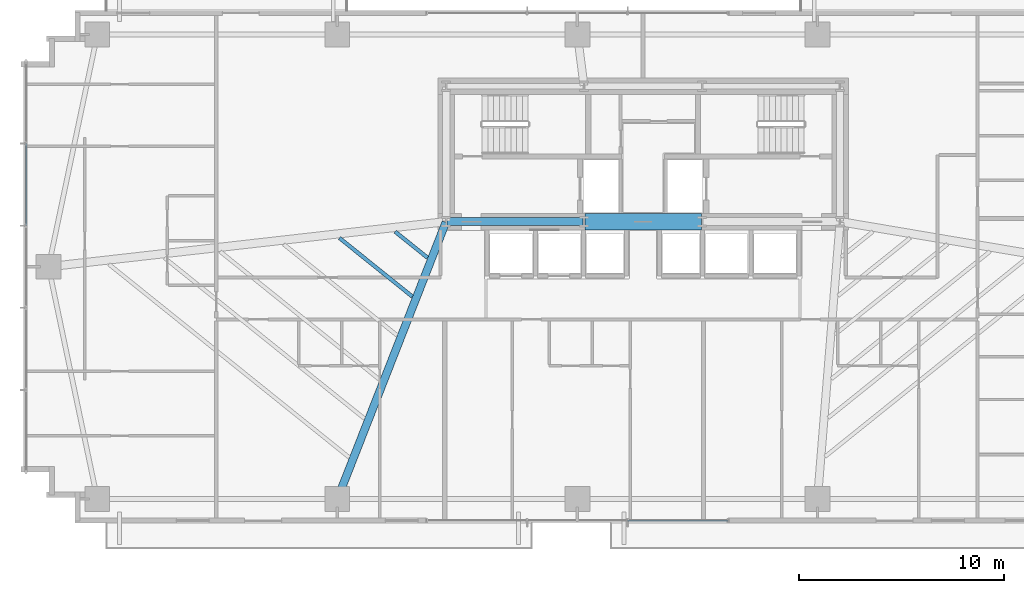
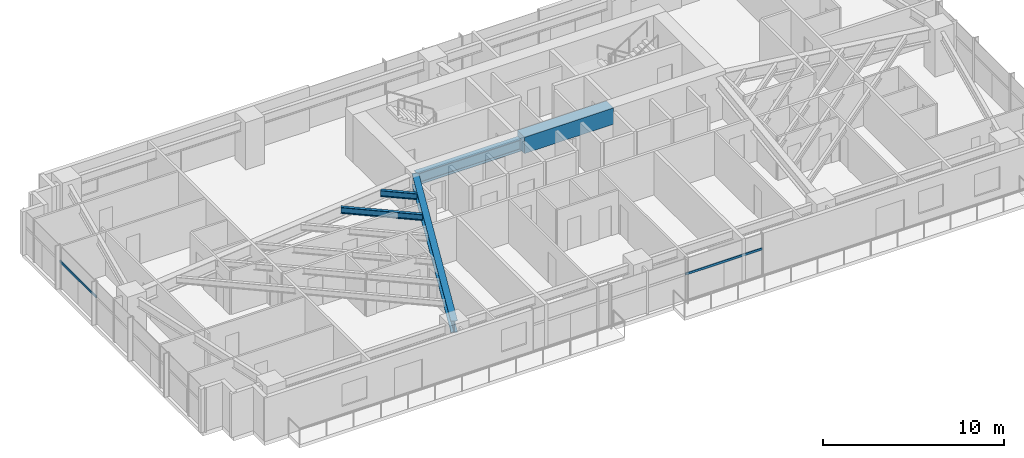
# One storey, part 7 of 25: 5 beams, 2 members, 2 elements without a shape of their own.
"""IFC4 building model written with IfcOpenShell, lengths in metres."""

from ifc_helpers import new_model, si_unit, direction, frame, origin, origin_2d, place, context, subcontext, project, spatial, rectangle, hollow_rectangle, i_section, extrude, source, transform, mapped, material, material_profile, profile_set, type_object, type_shapes, element, aggregate, save


model = new_model("IFC4")

# Units and contexts
model_context = context("Model", 3, precision=1e-05, world=origin(), true_north=direction((0.0, 1.0)))
body_context = subcontext(model_context, "Body", "Model", "MODEL_VIEW")
ifc_project = project(units=[si_unit("LENGTHUNIT", "METRE"), si_unit("AREAUNIT", "SQUARE_METRE"), si_unit("VOLUMEUNIT", "CUBIC_METRE"), si_unit("PLANEANGLEUNIT", "RADIAN"), si_unit("MASSUNIT", "GRAM", prefix="KILO")], contexts=[model_context])

# Site, building, storey
site_placement = place(None, origin())
site = spatial("IfcSite", under=ifc_project, at=site_placement, CompositionType="ELEMENT")
building_placement = place(site_placement, origin())
building = spatial("IfcBuilding", under=site, at=building_placement, Name="Astriad Promenade Condominiums", CompositionType="ELEMENT")
storey_placement = place(building_placement, frame((0.0, 0.0, 48.60009765625)))
storey = spatial("IfcBuildingStorey", under=building, at=storey_placement, Name="L13", CompositionType="ELEMENT", Elevation=48.60009765625)

# Beams
ifc_material_1 = material(Name="Steel ASTM A992 Grade 50", Category="steel")
ifc_material_profile_1 = material_profile(ifc_material_1, i_section(OverallWidth=0.3837890625, OverallDepth=0.785888671875, WebThickness=0.019775390625, FlangeThickness=0.033447265625, FilletRadius=0.021484375, at=origin_2d()), Name="W30X211")
ifc_profile_set_1 = profile_set([ifc_material_profile_1], Name="Steel ASTM A992 Grade 50")
beam_type_1 = type_object("IfcBeamType", Name="STEEL FLOOR GIRDER W30X211", PredefinedType="BEAM", material=ifc_profile_set_1)
shared_shape_1 = source(origin(), body_context, "Body", "SweptSolid", [
    extrude(i_section(OverallWidth=0.3837890625, OverallDepth=0.785888671875, WebThickness=0.019775390625, FlangeThickness=0.033447265625, FilletRadius=0.021484375, at=origin_2d()), origin(), (0.0, 0.0, 1.0), 6.64013671875),
])
beam_1_placement = place(storey_placement, frame((26.43994140625, 17.39990234375, 2.547119140625), z_axis=(1.0, 0.0, 0.0), x_axis=(0.0, 1.0, 0.0)))
element("IfcBeam", 1, at=beam_1_placement, inside=storey, type_object=beam_type_1, Name="Core Ring Beam CG-S1-L13", PredefinedType="BEAM", context=body_context, shape_type="MappedRepresentation", body=[
    mapped(shared_shape_1, transform((0.0, 0.0, 0.0), scale=1.0)),
])
ifc_material_2 = material(Name="Concrete C80/95", Category="concrete")
ifc_material_profile_2 = material_profile(ifc_material_2, rectangle(XDim=0.800048828125, YDim=1.10009765625, at=origin_2d()), Name="RC-BM-800X1100")
ifc_profile_set_2 = profile_set([ifc_material_profile_2], Name="Concrete C80/95")
beam_type_2 = type_object("IfcBeamType", Name="CONCRETE CORE COUPLING LINTEL 800X1100", PredefinedType="LINTEL", material=ifc_profile_set_2)
shared_shape_2 = source(origin(), body_context, "Body", "SweptSolid", [
    extrude(rectangle(XDim=0.800048828125, YDim=1.10009765625, at=origin_2d()), origin(), (0.0, 0.0, 1.0), 5.68017578125),
])
type_shapes(beam_type_2, [shared_shape_2])
beam_2_placement = place(storey_placement, frame((33.159912109375, 17.39990234375, 2.6298828125), z_axis=(1.0, 0.0, 0.0), x_axis=(0.0, 1.0, 0.0)))
element("IfcBeam", 2, at=beam_2_placement, inside=storey, type_object=beam_type_2, Name="Core Ring Beam CG-S2-L13", PredefinedType="LINTEL", context=body_context, shape_type="MappedRepresentation", body=[
    mapped(shared_shape_2, transform((0.0, 0.0, 0.0), scale=1.0)),
])
shared_shape_3 = source(origin(), body_context, "Body", "SweptSolid", [
    extrude(i_section(OverallWidth=0.3837890625, OverallDepth=0.785888671875, WebThickness=0.019775390625, FlangeThickness=0.033447265625, FilletRadius=0.021484375, at=origin_2d()), origin(), (0.0, 0.0, 1.0), 14.44189453125),
])
type_shapes(beam_type_1, [shared_shape_1, shared_shape_3])
beam_3_placement = place(storey_placement, frame((21.114501953125, 3.917236328125, 2.547119140625), z_axis=(0.364981228757, 0.931014877784, 0.0), x_axis=(-0.931014877784, 0.364981228757, 0.0)))
element("IfcBeam", 3, at=beam_3_placement, inside=storey, type_object=beam_type_1, Name="Primary Floor Girder PG-W2-L13", PredefinedType="BEAM", context=body_context, shape_type="MappedRepresentation", body=[
    mapped(shared_shape_3, transform((0.0, 0.0, 0.0), scale=1.0)),
])
ifc_material_profile_3 = material_profile(ifc_material_1, i_section(OverallWidth=0.180908203125, OverallDepth=0.417236328125, WebThickness=0.010986328125, FlangeThickness=0.018310546875, FilletRadius=0.013916015625, at=origin_2d()), Name="W16X57")
ifc_profile_set_3 = profile_set([ifc_material_profile_3], Name="Steel ASTM A992 Grade 50")
beam_type_3 = type_object("IfcBeamType", Name="STEEL FLOOR JOIST W16X57", PredefinedType="JOIST", material=ifc_profile_set_3)
shared_shape_4 = source(origin(), body_context, "Body", "SweptSolid", [
    extrude(i_section(OverallWidth=0.180908203125, OverallDepth=0.417236328125, WebThickness=0.010986328125, FlangeThickness=0.018310546875, FilletRadius=0.013916015625, at=origin_2d()), origin(), (0.0, 0.0, 1.0), 4.555419921875),
])
beam_4_placement = place(storey_placement, frame((21.201416015625, 16.600830078125, 2.731201171875), z_axis=(0.779365920634, -0.626569039894, 0.0), x_axis=(0.626569039894, 0.779365920634, 0.0)))
element("IfcBeam", 4, at=beam_4_placement, inside=storey, type_object=beam_type_3, Name="Secondary Composite Floor Joist JW1-5-L13", PredefinedType="JOIST", context=body_context, shape_type="MappedRepresentation", body=[
    mapped(shared_shape_4, transform((0.0, 0.0, 0.0), scale=1.0)),
])
shared_shape_5 = source(origin(), body_context, "Body", "SweptSolid", [
    extrude(i_section(OverallWidth=0.180908203125, OverallDepth=0.417236328125, WebThickness=0.010986328125, FlangeThickness=0.018310546875, FilletRadius=0.013916015625, at=origin_2d()), origin(), (0.0, 0.0, 1.0), 2.02587890625),
])
type_shapes(beam_type_3, [shared_shape_4, shared_shape_5])
beam_5_placement = place(storey_placement, frame((23.914794921875, 16.90869140625, 2.731201171875), z_axis=(0.779373362939, -0.626559782576, 0.0), x_axis=(0.626559782576, 0.779373362939, 0.0)))
element("IfcBeam", 5, at=beam_5_placement, inside=storey, type_object=beam_type_3, Name="Secondary Composite Floor Joist JW1-6-L13", PredefinedType="JOIST", context=body_context, shape_type="MappedRepresentation", body=[
    mapped(shared_shape_5, transform((0.0, 0.0, 0.0), scale=1.0)),
])

# Curtain wall, member
ifc_material_3 = material(Name="Anodised aluminium Black Dark Glass Unitised", Category="aluminium")
curtain_wall_type = type_object("IfcCurtainWallType", Name="CW-B1-DARK", PredefinedType="USERDEFINED", material=ifc_material_3)
curtain_wall_1_placement = place(storey_placement, origin())
curtain_wall_1 = element("IfcCurtainWall", 6, at=curtain_wall_1_placement, inside=storey, type_object=curtain_wall_type, Name="CW-L13-W", ObjectType="UNITISED_CURTAIN_WALL", PredefinedType="USERDEFINED")
ifc_material_4 = material(Name="Anodised aluminium 6063-T6 Black", Category="aluminium")
ifc_material_profile_4 = material_profile(ifc_material_4, hollow_rectangle(XDim=0.074951171875, YDim=0.14990234375, WallThickness=0.004150390625, at=origin_2d()), Name="ALU-TRN-75X150")
ifc_profile_set_4 = profile_set([ifc_material_profile_4], Name="Anodised aluminium 6063-T6 Black")
member_type = type_object("IfcMemberType", Name="TRN-ALU-TRN-75X150", PredefinedType="USERDEFINED", material=ifc_profile_set_4)
shared_shape_6 = source(origin(), body_context, "Body", "SweptSolid", [
    extrude(hollow_rectangle(XDim=0.074951171875, YDim=0.14990234375, WallThickness=0.004150390625, at=origin_2d()), origin(), (0.0, 0.0, 1.0), 4.0),
])
member_1_placement = place(storey_placement, frame((5.929931640625, 17.199951171875, 1.82275390625), z_axis=(0.0, 1.0, 0.0), x_axis=(-1.0, 0.0, 0.0)))
member_1 = element("IfcMember", 7, at=member_1_placement, type_object=member_type, Name="CW-L13-W-TRN-03-0", ObjectType="TRANSOM", PredefinedType="USERDEFINED", context=body_context, shape_type="MappedRepresentation", body=[
    mapped(shared_shape_6, transform((0.0, 0.0, 0.0), scale=1.0)),
])
aggregate(curtain_wall_1, [member_1])

curtain_wall_2_placement = place(storey_placement, origin())
curtain_wall_2 = element("IfcCurtainWall", 8, at=curtain_wall_2_placement, inside=storey, type_object=curtain_wall_type, Name="CW-L13-S", ObjectType="UNITISED_CURTAIN_WALL", PredefinedType="USERDEFINED")
shared_shape_7 = source(origin(), body_context, "Body", "SweptSolid", [
    extrude(hollow_rectangle(XDim=0.074951171875, YDim=0.14990234375, WallThickness=0.004150390625, at=origin_2d()), origin(), (0.0, 0.0, 1.0), 4.89990234375),
])
type_shapes(member_type, [shared_shape_6, shared_shape_7])
member_2_placement = place(storey_placement, frame((40.14990234375, 2.830078125, 1.82275390625), z_axis=(-1.0, 0.0, 0.0), x_axis=(0.0, -1.0, 0.0)))
member_2 = element("IfcMember", 9, at=member_2_placement, type_object=member_type, Name="CW-L13-S-TRN-00-0", ObjectType="TRANSOM", PredefinedType="USERDEFINED", context=body_context, shape_type="MappedRepresentation", body=[
    mapped(shared_shape_7, transform((0.0, 0.0, 0.0), scale=1.0)),
])
aggregate(curtain_wall_2, [member_2])

save(model, "model.ifc")
